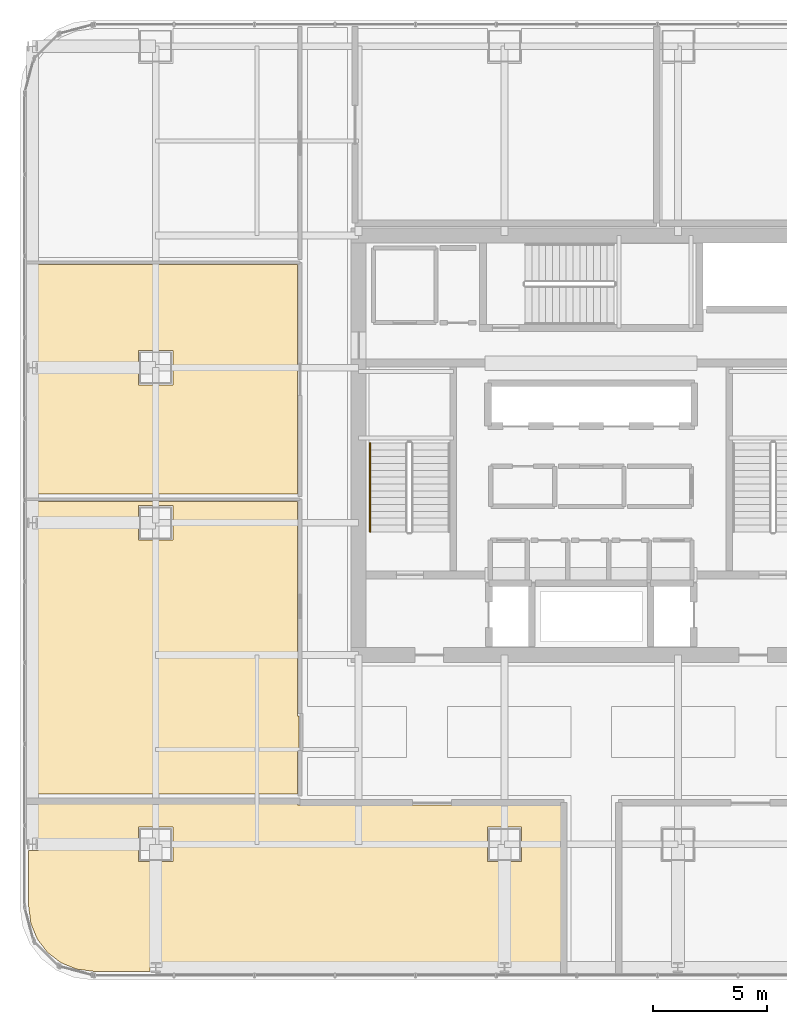
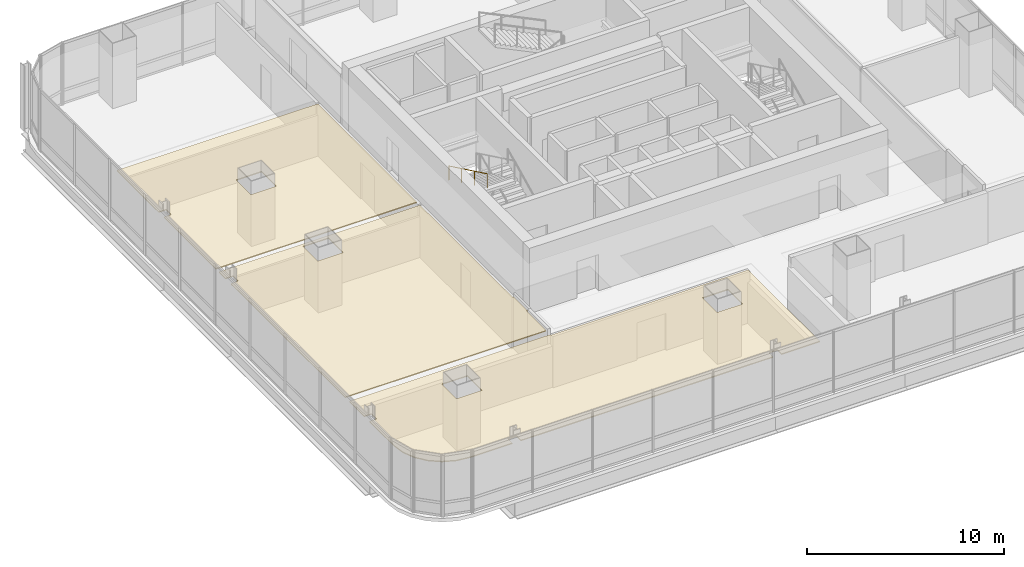
# One storey, part 32 of 36: 3 coverings, 1 railing.
"""IFC4 building model written with IfcOpenShell, lengths in metres."""

from ifc_helpers import new_model, si_unit, direction, frame, origin, origin_2d, place, context, subcontext, project, spatial, polyline, circle, outline, extrude, material, layer, layer_set, type_object, element, save


model = new_model("IFC4")

# Units and contexts
model_context = context("Model", 3, precision=1e-05, world=origin(), true_north=direction((0.0, 1.0)))
body_context = subcontext(model_context, "Body", "Model", "MODEL_VIEW")
ifc_project = project(units=[si_unit("LENGTHUNIT", "METRE"), si_unit("AREAUNIT", "SQUARE_METRE"), si_unit("VOLUMEUNIT", "CUBIC_METRE"), si_unit("PLANEANGLEUNIT", "RADIAN"), si_unit("MASSUNIT", "GRAM", prefix="KILO")], contexts=[model_context])

# Site, building, storey
site_placement = place(None, origin())
site = spatial("IfcSite", under=ifc_project, at=site_placement, CompositionType="ELEMENT")
building_placement = place(site_placement, origin())
building = spatial("IfcBuilding", under=site, at=building_placement, Name="Punatoya Terracotta Tower", CompositionType="ELEMENT")
storey_placement = place(building_placement, frame((0.0, 0.0, 196.5)))
storey = spatial("IfcBuildingStorey", under=building, at=storey_placement, Name="L46", CompositionType="ELEMENT", Elevation=196.5)

# Coverings
ifc_material_1 = material(Name="Acoustic Mineral Fibre Ceiling")
ifc_layer = layer(ifc_material_1, 0.06005859375)
ifc_layer_set = layer_set([ifc_layer], Name="Acoustic Mineral Fibre Ceiling")
covering_type = type_object("IfcCoveringType", Name="COV-CEIL-60", PredefinedType="CEILING", material=ifc_layer_set)
covering_1_placement = place(storey_placement, frame((0.0, 0.0, 3.219970703125)))
element("IfcCovering", 1, at=covering_1_placement, inside=storey, type_object=covering_type, Name="L46 Client Dining Salon Acoustic Ceiling", PredefinedType="CEILING", context=body_context, shape_type="SweptSolid", body=[
    extrude(outline(polyline([(-12.8701171875, -15.77001953125), (-12.8701171875, -15.7099609375), (-24.669921875, -15.7099609375), (-24.669921875, -17.237548828125), (-24.24560546875, -17.237548828125), (-24.24560546875, -17.762451171875), (-24.669921875, -17.762451171875), (-24.669921875, -20.22509765625), (-24.57080078125, -20.97900390625), (-24.289306640625, -21.658203125), (-23.841796875, -22.24169921875), (-23.25830078125, -22.689453125), (-22.5791015625, -22.970703125), (-21.8251953125, -23.070068359375), (-19.3544921875, -23.070068359375), (-19.3544921875, -22.637451171875), (-18.845458984375, -22.637451171875), (-18.845458984375, -23.070068359375), (-4.054443359375, -23.070068359375), (-4.054443359375, -22.637451171875), (-3.54541015625, -22.637451171875), (-3.54541015625, -23.070068359375), (-1.300048828125, -23.070068359375), (-1.300048828125, -15.77001953125), (-12.8701171875, -15.77001953125)]), holes=[polyline([(-4.550048828125, -16.75), (-3.050048828125, -16.75), (-3.050048828125, -18.25), (-4.550048828125, -18.25), (-4.550048828125, -16.75)]), polyline([(-19.85009765625, -18.25), (-19.85009765625, -16.75), (-18.35009765625, -16.75), (-18.35009765625, -18.25), (-19.85009765625, -18.25)])]), origin(), (0.0, 0.0, 1.0), 0.06005859375),
])
covering_2_placement = place(storey_placement, frame((0.0, 0.0, 3.219970703125)))
element("IfcCovering", 2, at=covering_2_placement, inside=storey, type_object=covering_type, Name="L46 Visitor Reception Salon Acoustic Ceiling", PredefinedType="CEILING", context=body_context, shape_type="SweptSolid", body=[
    extrude(outline(polyline([(-12.8701171875, -13.280029296875), (-12.81005859375, -13.280029296875), (-12.81005859375, -11.8701171875), (-12.8701171875, -11.8701171875), (-12.8701171875, -2.4619140625), (-24.669921875, -2.4619140625), (-24.669921875, -3.137451171875), (-24.24560546875, -3.137451171875), (-24.24560546875, -3.66259765625), (-24.669921875, -3.66259765625), (-24.669921875, -15.2900390625), (-12.8701171875, -15.2900390625), (-12.8701171875, -13.280029296875)]), holes=[polyline([(-18.35009765625, -4.14990234375), (-19.85009765625, -4.14990234375), (-19.85009765625, -2.64990234375), (-18.35009765625, -2.64990234375), (-18.35009765625, -4.14990234375)])]), origin(), (0.0, 0.0, 1.0), 0.06005859375),
])
covering_3_placement = place(storey_placement, frame((0.0, 0.0, 3.219970703125)))
element("IfcCovering", 3, at=covering_3_placement, inside=storey, type_object=covering_type, Name="L46 Open-Plan Private Dining Boardroom Acoustic Ceiling", PredefinedType="CEILING", context=body_context, shape_type="SweptSolid", body=[
    extrude(outline(polyline([(-24.669921875, 3.137451171875), (-24.669921875, -2.14208984375), (-12.8701171875, -2.14208984375), (-12.8701171875, 7.91796875), (-24.669921875, 7.91796875), (-24.669921875, 3.66259765625), (-24.24560546875, 3.66259765625), (-24.24560546875, 3.137451171875), (-24.669921875, 3.137451171875)]), holes=[polyline([(-18.35009765625, 4.14990234375), (-18.35009765625, 2.64990234375), (-19.85009765625, 2.64990234375), (-19.85009765625, 4.14990234375), (-18.35009765625, 4.14990234375)])]), origin(), (0.0, 0.0, 1.0), 0.06005859375),
])

# Railing
ifc_material_2 = material(Name="Steel S355", Category="steel")
railing_type = type_object("IfcRailingType", Name="RLG-HND-900", PredefinedType="HANDRAIL", material=ifc_material_2)
railing_placement = place(storey_placement, frame((-9.699951171875, 0.10009765625, 2.169677734375)))
element("IfcRailing", 4, at=railing_placement, inside=storey, type_object=railing_type, Name="L46 ST-1 stair handrail 2", PredefinedType="HANDRAIL", context=body_context, shape_type="SweptSolid", body=[
    extrude(circle(Radius=0.02392578125, at=origin_2d()), frame((0.0, 0.0, 0.8759765625), z_axis=(0.0, -0.900773802044, 0.434288564841), x_axis=(1.0, 0.0, 0.0)), (0.0, 0.0, 1.0), 4.329833984375),
    extrude(circle(Radius=0.02099609375, at=origin_2d()), origin(), (0.0, 0.0, 1.0), 0.851806640625),
    extrude(circle(Radius=0.02099609375, at=origin_2d()), frame((0.0, -1.300048828125, 0.626708984375)), (0.0, 0.0, 1.0), 0.851806640625),
    extrude(circle(Radius=0.02099609375, at=origin_2d()), frame((0.0, -2.60009765625, 1.253662109375)), (0.0, 0.0, 1.0), 0.851806640625),
    extrude(circle(Radius=0.02099609375, at=origin_2d()), frame((0.0, -3.900146484375, 1.88037109375)), (0.0, 0.0, 1.0), 0.851806640625),
])

save(model, "model.ifc")
